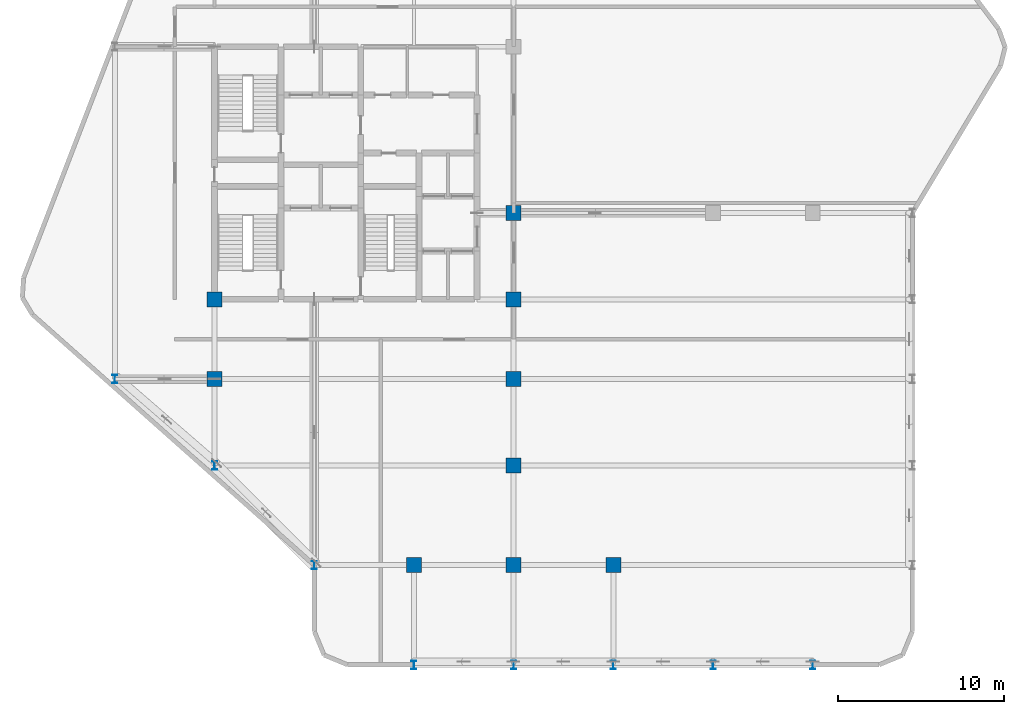
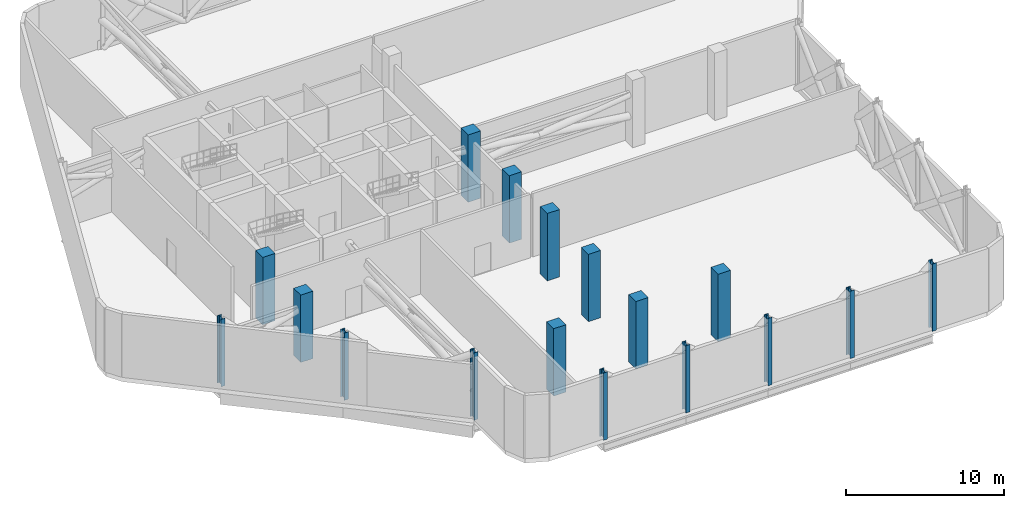
# One storey, part 1 of 12: 17 columns.
"""IFC4 building model written with IfcOpenShell, lengths in metres."""

from ifc_helpers import new_model, si_unit, direction, frame, origin, origin_2d, place, context, subcontext, project, spatial, rectangle, i_section, extrude, material, material_profile, profile_set, type_object, element, save


model = new_model("IFC4")

# Units and contexts
model_context = context("Model", 3, precision=1e-05, world=origin(), true_north=direction((0.0, 1.0)))
body_context = subcontext(model_context, "Body", "Model", "MODEL_VIEW")
ifc_project = project(units=[si_unit("LENGTHUNIT", "METRE"), si_unit("AREAUNIT", "SQUARE_METRE"), si_unit("VOLUMEUNIT", "CUBIC_METRE"), si_unit("PLANEANGLEUNIT", "RADIAN"), si_unit("MASSUNIT", "GRAM", prefix="KILO")], contexts=[model_context])

# Site, building, storey
site_placement = place(None, origin())
site = spatial("IfcSite", under=ifc_project, at=site_placement, CompositionType="ELEMENT")
building_placement = place(site_placement, origin())
building = spatial("IfcBuilding", under=site, at=building_placement, Name="Keshet Zoharim Tower", CompositionType="ELEMENT")
storey_placement = place(building_placement, frame((0.0, 0.0, 159.39990234375)))
storey = spatial("IfcBuildingStorey", under=building, at=storey_placement, Name="L39", CompositionType="ELEMENT", Elevation=159.39990234375)

# Columns
ifc_material_1 = material(Name="Steel S355", Category="steel")
ifc_material_profile_1 = material_profile(ifc_material_1, i_section(OverallWidth=0.300048828125, OverallDepth=0.5, WebThickness=0.014404296875, FlangeThickness=0.028076171875, FilletRadius=0.027099609375, at=origin_2d()), Name="HEB500")
ifc_profile_set_1 = profile_set([ifc_material_profile_1], Name="Steel S355")
column_type_1 = type_object("IfcColumnType", Name="COL-HEB500", PredefinedType="COLUMN", material=ifc_profile_set_1)
for number, where, z_axis, x_axis, name in (
    (1, (9.0, 17.89990234375, 0.0), (0.0, 0.0, 1.0), (1.0, 0.0, 0.0), "L39 Column 2D"),
    (2, (15.0, 12.699951171875, 0.0), (0.0, 0.0, 1.0), (1.0, 0.0, 0.0), "L39 Column 3C"),
    (3, (21.0, 6.699951171875, 0.0), (0.0, 0.0, 1.0), (1.0, 0.0, 0.0), "L39 Column 4B"),
    (4, (27.0, 0.699951171875, 0.0), (0.0, 0.0, 1.0), (1.0, 0.0, 0.0), "L39 Column 5A"),
    (5, (33.0, 0.699951171875, 0.0), (0.0, 0.0, 1.0), (1.0, 0.0, 0.0), "L39 Column 6A"),
    (6, (39.0, 0.699951171875, 0.0), (0.0, 0.0, 1.0), (1.0, 0.0, 0.0), "L39 Column 7A"),
    (7, (45.0, 0.699951171875, 0.0), (0.0, 0.0, 1.0), (1.0, 0.0, 0.0), "L39 Column 8A"),
    (8, (51.0, 0.699951171875, 0.0), (0.0, 0.0, 1.0), (1.0, 0.0, 0.0), "L39 Column 9A"),
):
    element("IfcColumn", number, at=place(storey_placement, frame(where, z_axis=z_axis, x_axis=x_axis)), inside=storey, type_object=column_type_1, Name=name, PredefinedType="COLUMN", context=body_context, shape_type="SweptSolid", body=[
        extrude(i_section(OverallWidth=0.300048828125, OverallDepth=0.5, WebThickness=0.014404296875, FlangeThickness=0.028076171875, FilletRadius=0.027099609375, at=origin_2d()), origin(), (0.0, 0.0, 1.0), 5.2001953125),
    ])
ifc_material_2 = material(Name="Concrete C60/75", Category="concrete")
ifc_material_profile_2 = material_profile(ifc_material_2, rectangle(XDim=0.89990234375, YDim=0.89990234375, at=origin_2d()), Name="RC900x900")
ifc_profile_set_2 = profile_set([ifc_material_profile_2], Name="Concrete C60/75")
column_type_2 = type_object("IfcColumnType", Name="COL-RC900", PredefinedType="COLUMN", material=ifc_profile_set_2)
for number, where, z_axis, x_axis, name in (
    (9, (15.0, 17.89990234375, 0.0), (0.0, 0.0, 1.0), (1.0, 0.0, 0.0), "L39 Column 3D"),
    (10, (15.0, 22.699951171875, 0.0), (0.0, 0.0, 1.0), (1.0, 0.0, 0.0), "L39 Column 3E"),
    (11, (27.0, 6.699951171875, 0.0), (0.0, 0.0, 1.0), (1.0, 0.0, 0.0), "L39 Column 5B"),
    (12, (33.0, 6.699951171875, 0.0), (0.0, 0.0, 1.0), (1.0, 0.0, 0.0), "L39 Column 6B"),
    (13, (33.0, 12.699951171875, 0.0), (0.0, 0.0, 1.0), (1.0, 0.0, 0.0), "L39 Column 6C"),
    (14, (33.0, 17.89990234375, 0.0), (0.0, 0.0, 1.0), (1.0, 0.0, 0.0), "L39 Column 6D"),
    (15, (33.0, 22.699951171875, 0.0), (0.0, 0.0, 1.0), (1.0, 0.0, 0.0), "L39 Column 6E"),
    (16, (33.0, 27.89990234375, 0.0), (0.0, 0.0, 1.0), (1.0, 0.0, 0.0), "L39 Column 6F"),
    (17, (39.0, 6.699951171875, 0.0), (0.0, 0.0, 1.0), (1.0, 0.0, 0.0), "L39 Column 7B"),
):
    element("IfcColumn", number, at=place(storey_placement, frame(where, z_axis=z_axis, x_axis=x_axis)), inside=storey, type_object=column_type_2, Name=name, PredefinedType="COLUMN", context=body_context, shape_type="SweptSolid", body=[
        extrude(rectangle(XDim=0.89990234375, YDim=0.89990234375, at=origin_2d()), origin(), (0.0, 0.0, 1.0), 5.2001953125),
    ])

save(model, "model.ifc")
